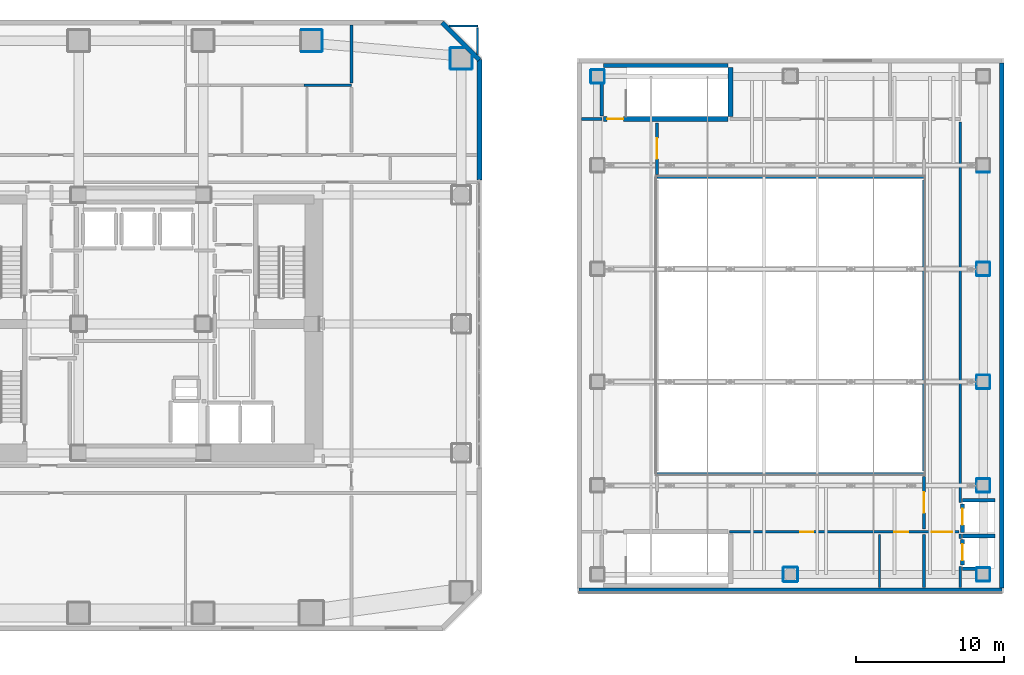
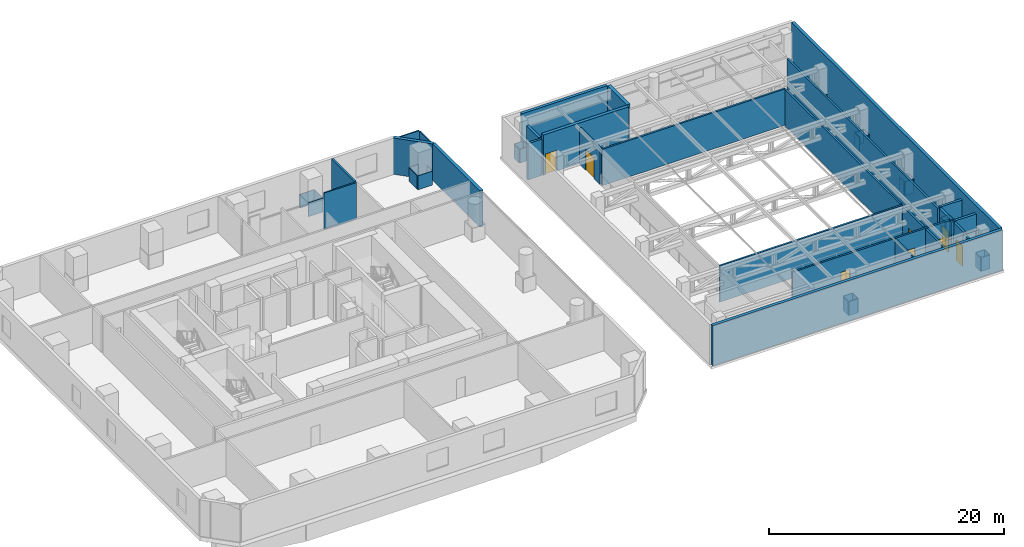
# One storey, part 22 of 25: 61 walls, 8 doors, 8 openings.
"""IFC4 building model written with IfcOpenShell, lengths in metres."""

from ifc_helpers import new_model, si_unit, direction, frame, frame_2d, origin, place, context, subcontext, project, spatial, rectangle, extrude, material, layer, layer_set, type_object, element, fill, save


model = new_model("IFC4")

# Units and contexts
model_context = context("Model", 3, precision=1e-05, world=origin(), true_north=direction((0.0, 1.0)))
body_context = subcontext(model_context, "Body", "Model", "MODEL_VIEW")
ifc_project = project(units=[si_unit("LENGTHUNIT", "METRE"), si_unit("AREAUNIT", "SQUARE_METRE"), si_unit("VOLUMEUNIT", "CUBIC_METRE"), si_unit("PLANEANGLEUNIT", "RADIAN"), si_unit("MASSUNIT", "GRAM", prefix="KILO")], contexts=[model_context])

# Site, building, storey
site_placement = place(None, origin())
site = spatial("IfcSite", under=ifc_project, at=site_placement, CompositionType="ELEMENT")
building_placement = place(site_placement, origin())
building = spatial("IfcBuilding", under=site, at=building_placement, Name="Solanera Arch Residences", CompositionType="ELEMENT")
storey_placement = place(building_placement, frame((0.0, 0.0, 17.800048828125)))
storey = spatial("IfcBuildingStorey", under=building, at=storey_placement, Name="L04", CompositionType="ELEMENT", Elevation=17.800048828125)

# Walls
ifc_material_1 = material(Name="Fire-Rated Gypsum Stud Partition", Category="gypsum")
ifc_layer_1 = layer(ifc_material_1, 0.06005859375)
ifc_layer_set_1 = layer_set([ifc_layer_1], Name="Fire-Rated Gypsum Stud Partition")
wall_type_1 = type_object("IfcWallType", Name="Column Acoustic Furring Wall 60", PredefinedType="PARTITIONING", material=ifc_layer_set_1)
for number, where, z_axis, x_axis, name in (
    (1, (35.800048828125, 49.068115234375, 0.0), (0.0, 0.0, 1.0), (1.0, 0.0, 0.0), "L04 Column Furring 14S"),
    (2, (35.800048828125, 50.531982421875, 0.0), (0.0, 0.0, 1.0), (1.0, 0.0, 0.0), "L04 Column Furring 14N"),
    (3, (37.23193359375, 49.10009765625, 0.0), (0.0, 0.0, 1.0), (0.0, 1.0, 0.0), "L04 Column Furring 14E"),
):
    element("IfcWall", number, at=place(storey_placement, frame(where, z_axis=z_axis, x_axis=x_axis)), inside=storey, type_object=wall_type_1, Name=name, PredefinedType="PARTITIONING", context=body_context, shape_type="SweptSolid", body=[
        extrude(rectangle(XDim=1.39990234375, YDim=0.06005859375, at=frame_2d((0.699951171875, 0.0))), origin(), (0.0, 0.0, 1.0), 1.449951171875),
    ])
wall_1_placement = place(storey_placement, frame((45.89990234375, 47.867919921875, 0.0), z_axis=(0.0, 0.0, 1.0), x_axis=(1.0, 0.0, 0.0)))
element("IfcWall", 4, at=wall_1_placement, inside=storey, type_object=wall_type_1, Name="L04 Column Furring 24S", PredefinedType="PARTITIONING", context=body_context, shape_type="SweptSolid", body=[
    extrude(rectangle(XDim=1.400146484375, YDim=0.06005859375, at=frame_2d((0.7001953125, 0.0))), origin(), (0.0, 0.0, 1.0), 1.449951171875),
])
wall_2_placement = place(storey_placement, frame((45.89990234375, 49.33203125, 0.0), z_axis=(0.0, 0.0, 1.0), x_axis=(1.0, 0.0, 0.0)))
element("IfcWall", 5, at=wall_2_placement, inside=storey, type_object=wall_type_1, Name="L04 Column Furring 24N", PredefinedType="PARTITIONING", context=body_context, shape_type="SweptSolid", body=[
    extrude(rectangle(XDim=0.861083984375, YDim=0.06005859375, at=frame_2d((0.4306640625, 0.0))), origin(), (0.0, 0.0, 1.0), 1.449951171875),
])
wall_3_placement = place(storey_placement, frame((45.867919921875, 47.89990234375, 0.0), z_axis=(0.0, 0.0, 1.0), x_axis=(0.0, 1.0, 0.0)))
element("IfcWall", 6, at=wall_3_placement, inside=storey, type_object=wall_type_1, Name="L04 Column Furring 24W", PredefinedType="PARTITIONING", context=body_context, shape_type="SweptSolid", body=[
    extrude(rectangle(XDim=1.400146484375, YDim=0.06005859375, at=frame_2d((0.7001953125, 0.0))), origin(), (0.0, 0.0, 1.0), 1.449951171875),
])
wall_4_placement = place(storey_placement, frame((47.33203125, 47.89990234375, 0.0), z_axis=(0.0, 0.0, 1.0), x_axis=(0.0, 1.0, 0.0)))
element("IfcWall", 7, at=wall_4_placement, inside=storey, type_object=wall_type_1, Name="L04 Column Furring 24E", PredefinedType="PARTITIONING", context=body_context, shape_type="SweptSolid", body=[
    extrude(rectangle(XDim=0.861083984375, YDim=0.06005859375, at=frame_2d((0.4306640625, 0.0))), origin(), (0.0, 0.0, 1.0), 1.449951171875),
])
for number, where, z_axis, x_axis, name in (
    (8, (55.375, 46.943115234375, 0.0), (0.0, 0.0, 1.0), (1.0, 0.0, 0.0), "L04 Column Furring 32S"),
    (9, (55.375, 47.85693359375, 0.0), (0.0, 0.0, 1.0), (1.0, 0.0, 0.0), "L04 Column Furring 32N"),
):
    element("IfcWall", number, at=place(storey_placement, frame(where, z_axis=z_axis, x_axis=x_axis)), inside=storey, type_object=wall_type_1, Name=name, PredefinedType="PARTITIONING", context=body_context, shape_type="SweptSolid", body=[
        extrude(rectangle(XDim=0.85009765625, YDim=0.06005859375, at=frame_2d((0.425048828125, 0.0))), origin(), (0.0, 0.0, 1.0), 1.449951171875),
    ])
for number, where, z_axis, x_axis, name in (
    (10, (55.343017578125, 46.97509765625, 0.0), (0.0, 0.0, 1.0), (0.0, 1.0, 0.0), "L04 Column Furring 32W"),
    (11, (56.257080078125, 46.97509765625, 0.0), (0.0, 0.0, 1.0), (0.0, 1.0, 0.0), "L04 Column Furring 32E"),
):
    element("IfcWall", number, at=place(storey_placement, frame(where, z_axis=z_axis, x_axis=x_axis)), inside=storey, type_object=wall_type_1, Name=name, PredefinedType="PARTITIONING", context=body_context, shape_type="SweptSolid", body=[
        extrude(rectangle(XDim=0.849853515625, YDim=0.06005859375, at=frame_2d((0.4248046875, 0.0))), origin(), (0.0, 0.0, 1.0), 1.449951171875),
    ])
for number, where, z_axis, x_axis, name in (
    (12, (81.375, 13.343017578125, 0.0), (0.0, 0.0, 1.0), (1.0, 0.0, 0.0), "L04 Column Furring 33S"),
    (13, (81.375, 14.257080078125, 0.0), (0.0, 0.0, 1.0), (1.0, 0.0, 0.0), "L04 Column Furring 33N"),
    (14, (81.343017578125, 13.375, 0.0), (0.0, 0.0, 1.0), (0.0, 1.0, 0.0), "L04 Column Furring 33W"),
    (15, (82.257080078125, 13.375, 0.0), (0.0, 0.0, 1.0), (0.0, 1.0, 0.0), "L04 Column Furring 33E"),
    (16, (81.375, 19.343017578125, 0.0), (0.0, 0.0, 1.0), (1.0, 0.0, 0.0), "L04 Column Furring 34S"),
    (17, (81.375, 20.257080078125, 0.0), (0.0, 0.0, 1.0), (1.0, 0.0, 0.0), "L04 Column Furring 34N"),
    (18, (81.343017578125, 19.375, 0.0), (0.0, 0.0, 1.0), (0.0, 1.0, 0.0), "L04 Column Furring 34W"),
    (19, (82.257080078125, 19.375, 0.0), (0.0, 0.0, 1.0), (0.0, 1.0, 0.0), "L04 Column Furring 34E"),
    (20, (81.375, 26.343017578125, 0.0), (0.0, 0.0, 1.0), (1.0, 0.0, 0.0), "L04 Column Furring 35S"),
    (21, (81.375, 27.257080078125, 0.0), (0.0, 0.0, 1.0), (1.0, 0.0, 0.0), "L04 Column Furring 35N"),
    (22, (81.343017578125, 26.375, 0.0), (0.0, 0.0, 1.0), (0.0, 1.0, 0.0), "L04 Column Furring 35W"),
    (23, (82.257080078125, 26.375, 0.0), (0.0, 0.0, 1.0), (0.0, 1.0, 0.0), "L04 Column Furring 35E"),
    (24, (81.375, 33.943115234375, 0.0), (0.0, 0.0, 1.0), (1.0, 0.0, 0.0), "L04 Column Furring 36S"),
    (25, (81.375, 34.85693359375, 0.0), (0.0, 0.0, 1.0), (1.0, 0.0, 0.0), "L04 Column Furring 36N"),
):
    element("IfcWall", number, at=place(storey_placement, frame(where, z_axis=z_axis, x_axis=x_axis)), inside=storey, type_object=wall_type_1, Name=name, PredefinedType="PARTITIONING", context=body_context, shape_type="SweptSolid", body=[
        extrude(rectangle(XDim=0.85009765625, YDim=0.06005859375, at=frame_2d((0.425048828125, 0.0))), origin(), (0.0, 0.0, 1.0), 1.449951171875),
    ])
for number, where, z_axis, x_axis, name in (
    (26, (81.343017578125, 33.97509765625, 0.0), (0.0, 0.0, 1.0), (0.0, 1.0, 0.0), "L04 Column Furring 36W"),
    (27, (82.257080078125, 33.97509765625, 0.0), (0.0, 0.0, 1.0), (0.0, 1.0, 0.0), "L04 Column Furring 36E"),
):
    element("IfcWall", number, at=place(storey_placement, frame(where, z_axis=z_axis, x_axis=x_axis)), inside=storey, type_object=wall_type_1, Name=name, PredefinedType="PARTITIONING", context=body_context, shape_type="SweptSolid", body=[
        extrude(rectangle(XDim=0.849853515625, YDim=0.06005859375, at=frame_2d((0.4248046875, 0.0))), origin(), (0.0, 0.0, 1.0), 1.449951171875),
    ])
wall_5_placement = place(storey_placement, frame((81.375, 40.943115234375, 0.0), z_axis=(0.0, 0.0, 1.0), x_axis=(1.0, 0.0, 0.0)))
element("IfcWall", 28, at=wall_5_placement, inside=storey, type_object=wall_type_1, Name="L04 Column Furring 37S", PredefinedType="PARTITIONING", context=body_context, shape_type="SweptSolid", body=[
    extrude(rectangle(XDim=0.85009765625, YDim=0.06005859375, at=frame_2d((0.425048828125, 0.0))), origin(), (0.0, 0.0, 1.0), 1.449951171875),
])
for number, where, z_axis, x_axis, name in (
    (29, (68.35009765625, 13.318115234375, 0.0), (0.0, 0.0, 1.0), (1.0, 0.0, 0.0), "L04 Column Furring 39S"),
    (30, (68.35009765625, 14.281982421875, 0.0), (0.0, 0.0, 1.0), (1.0, 0.0, 0.0), "L04 Column Furring 39N"),
    (31, (68.318115234375, 13.35009765625, 0.0), (0.0, 0.0, 1.0), (0.0, 1.0, 0.0), "L04 Column Furring 39W"),
    (32, (69.281982421875, 13.35009765625, 0.0), (0.0, 0.0, 1.0), (0.0, 1.0, 0.0), "L04 Column Furring 39E"),
):
    element("IfcWall", number, at=place(storey_placement, frame(where, z_axis=z_axis, x_axis=x_axis)), inside=storey, type_object=wall_type_1, Name=name, PredefinedType="PARTITIONING", context=body_context, shape_type="SweptSolid", body=[
        extrude(rectangle(XDim=0.89990234375, YDim=0.06005859375, at=frame_2d((0.449951171875, 0.0))), origin(), (0.0, 0.0, 1.0), 1.449951171875),
    ])
ifc_material_2 = material(Name="Concrete C40/50 (f'c = 45 MPa)", Category="concrete")
ifc_layer_2 = layer(ifc_material_2, 0.320068359375)
ifc_layer_set_2 = layer_set([ifc_layer_2], Name="Concrete C40/50 (f'c = 45 MPa)")
wall_type_2 = type_object("IfcWallType", Name="Core Shear Wall CW-320", PredefinedType="SHEAR", material=ifc_layer_set_2)
wall_6_placement = place(storey_placement, frame((64.760009765625, 44.679931640625, 0.0), z_axis=(0.0, 0.0, 1.0), x_axis=(0.0, 1.0, 0.0)))
element("IfcWall", 33, at=wall_6_placement, inside=storey, type_object=wall_type_2, Name="L04 Stair ST-H2 East Shear Wall", PredefinedType="SHEAR", context=body_context, shape_type="SweptSolid", body=[
    extrude(rectangle(XDim=3.320068359375, YDim=0.320068359375, at=frame_2d((1.66015625, 0.0))), origin(), (0.0, 0.0, 1.0), 4.199951171875),
])
wall_7_placement = place(storey_placement, frame((56.199951171875, 48.139892578125, 0.0), z_axis=(0.0, 0.0, 1.0), x_axis=(1.0, 0.0, 0.0)))
element("IfcWall", 34, at=wall_7_placement, inside=storey, type_object=wall_type_2, Name="L04 Stair ST-H2 North Shear Wall", PredefinedType="SHEAR", context=body_context, shape_type="SweptSolid", body=[
    extrude(rectangle(XDim=8.400146484375, YDim=0.280029296875, at=frame_2d((4.2001953125, 0.0))), origin(), (0.0, 0.0, 1.0), 4.199951171875),
])

# Wall, opening, door
wall_8_placement = place(storey_placement, frame((56.199951171875, 44.52001953125, 0.0), z_axis=(0.0, 0.0, 1.0), x_axis=(1.0, 0.0, 0.0)))
wall_8 = element("IfcWall", 35, at=wall_8_placement, inside=storey, type_object=wall_type_2, Name="L04 Stair ST-H2 South Shear Wall", PredefinedType="SHEAR", context=body_context, shape_type="SweptSolid", body=[
    extrude(rectangle(XDim=8.400146484375, YDim=0.320068359375, at=frame_2d((4.2001953125, 0.0))), origin(), (0.0, 0.0, 1.0), 4.199951171875),
])
opening_1_placement = place(wall_8_placement, frame((0.22998046875, 0.0, 0.0)))
opening_1 = element("IfcOpeningElement", 36, at=opening_1_placement, cuts=wall_8, Name="Opening DF-01", PredefinedType="OPENING", context=body_context, shape_type="SweptSolid", body=[
    extrude(rectangle(XDim=1.10009765625, YDim=2.14990234375, at=frame_2d((0.550048828125, 1.074951171875))), frame((0.0, 0.169921875, 0.0), z_axis=(0.0, -1.0, 0.0), x_axis=(1.0, 0.0, 0.0)), (0.0, 0.0, 1.0), 0.3401),
])
ifc_material_3 = material(Name="Fire-Rated Architectural Hardwood", Category="wood")
door_type_1 = type_object("IfcDoorType", Name="Stair Exit Fire Door DF-01", OperationType="NOTDEFINED", PredefinedType="DOOR", material=ifc_material_3)
door_1_placement = place(opening_1_placement, origin())
door_1 = element("IfcDoor", 37, at=door_1_placement, inside=storey, type_object=door_type_1, Name="DR-L04-STAIR-ST-H2", OperationType="SINGLE_SWING_RIGHT", OverallHeight=2.14990234375, OverallWidth=1.10009765625, PredefinedType="DOOR", context=body_context, shape_type="SweptSolid", body=[
    extrude(rectangle(XDim=1.10009765625, YDim=2.14990234375, at=frame_2d((0.550048828125, 1.074951171875))), frame((0.0, 0.02490234375, 0.0), z_axis=(0.0, -1.0, 0.0), x_axis=(1.0, 0.0, 0.0)), (0.0, 0.0, 1.0), 0.050048828125),
])
fill(opening_1, door_1)

# Wall, openings, doors
ifc_material_4 = material(Name="Autoclaved Aerated Concrete Blockwork", Category="masonry")
ifc_layer_3 = layer(ifc_material_4, 0.179931640625)
ifc_layer_set_3 = layer_set([ifc_layer_3], Name="Autoclaved Aerated Concrete Blockwork")
wall_type_3 = type_object("IfcWallType", Name="Corridor Fire Partition 180", PredefinedType="PARTITIONING", material=ifc_layer_set_3)
wall_9_placement = place(storey_placement, frame((64.699951171875, 16.679931640625, 0.0), z_axis=(0.0, 0.0, 1.0), x_axis=(1.0, 0.0, 0.0)))
wall_9 = element("IfcWall", 38, at=wall_9_placement, inside=storey, type_object=wall_type_3, Name="L04 Interior Partition H10 2", PredefinedType="PARTITIONING", context=body_context, shape_type="SweptSolid", body=[
    extrude(rectangle(XDim=15.48193359375, YDim=0.179931640625, at=frame_2d((7.740966796875, 0.0))), origin(), (0.0, 0.0, 1.0), 3.780029296875),
])
opening_2_placement = place(wall_9_placement, frame((13.625, 0.0, 0.0)))
opening_2 = element("IfcOpeningElement", 39, at=opening_2_placement, cuts=wall_9, Name="Opening DF-03", PredefinedType="OPENING", context=body_context, shape_type="SweptSolid", body=[
    extrude(rectangle(XDim=1.39990234375, YDim=2.14990234375, at=frame_2d((0.699951171875, 1.074951171875))), frame((0.0, 0.10009765625, 0.0), z_axis=(0.0, -1.0, 0.0), x_axis=(1.0, 0.0, 0.0)), (0.0, 0.0, 1.0), 0.1999),
])
opening_3_placement = place(wall_9_placement, frame((4.75, 0.0, 0.0)))
opening_3 = element("IfcOpeningElement", 40, at=opening_3_placement, cuts=wall_9, Name="Opening DI-02", PredefinedType="OPENING", context=body_context, shape_type="SweptSolid", body=[
    extrude(rectangle(XDim=0.89990234375, YDim=2.10009765625, at=frame_2d((0.449951171875, 1.050048828125))), frame((0.0, 0.10009765625, 0.0), z_axis=(0.0, -1.0, 0.0), x_axis=(1.0, 0.0, 0.0)), (0.0, 0.0, 1.0), 0.1999),
])
opening_4_placement = place(wall_9_placement, frame((11.10107421875, 0.0, 0.0)))
opening_4 = element("IfcOpeningElement", 41, at=opening_4_placement, cuts=wall_9, Name="Opening DI-04", PredefinedType="OPENING", context=body_context, shape_type="SweptSolid", body=[
    extrude(rectangle(XDim=0.949951171875, YDim=2.10009765625, at=frame_2d((0.47509765625, 1.050048828125))), frame((0.0, 0.10009765625, 0.0), z_axis=(0.0, -1.0, 0.0), x_axis=(1.0, 0.0, 0.0)), (0.0, 0.0, 1.0), 0.1999),
])
ifc_material_5 = material(Name="Fire-Rated Architectural Hardwood", Category="wood")
door_type_2 = type_object("IfcDoorType", Name="Accessible Restroom Door DI-04", OperationType="NOTDEFINED", PredefinedType="DOOR", material=ifc_material_5)
door_2_placement = place(opening_4_placement, origin())
door_2 = element("IfcDoor", 42, at=door_2_placement, inside=storey, type_object=door_type_2, Name="DR-L04-IN-036", OperationType="SINGLE_SWING_LEFT", OverallHeight=2.10009765625, OverallWidth=0.949951171875, PredefinedType="DOOR", context=body_context, shape_type="SweptSolid", body=[
    extrude(rectangle(XDim=0.949951171875, YDim=2.10009765625, at=frame_2d((0.47509765625, 1.050048828125))), frame((0.0, 0.02490234375, 0.0), z_axis=(0.0, -1.0, 0.0), x_axis=(1.0, 0.0, 0.0)), (0.0, 0.0, 1.0), 0.050048828125),
])
fill(opening_4, door_2)
ifc_material_6 = material(Name="Fire-Rated Architectural Hardwood", Category="wood")
door_type_3 = type_object("IfcDoorType", Name="Corridor Smoke Door DF-03", OperationType="NOTDEFINED", PredefinedType="DOOR", material=ifc_material_6)
door_3_placement = place(opening_2_placement, origin())
door_3 = element("IfcDoor", 43, at=door_3_placement, inside=storey, type_object=door_type_3, Name="DR-L04-IN-022", OperationType="SINGLE_SWING_LEFT", OverallHeight=2.14990234375, OverallWidth=1.39990234375, PredefinedType="DOOR", context=body_context, shape_type="SweptSolid", body=[
    extrude(rectangle(XDim=1.39990234375, YDim=2.14990234375, at=frame_2d((0.699951171875, 1.074951171875))), frame((0.0, 0.02490234375, 0.0), z_axis=(0.0, -1.0, 0.0), x_axis=(1.0, 0.0, 0.0)), (0.0, 0.0, 1.0), 0.050048828125),
])
fill(opening_2, door_3)
ifc_material_7 = material(Name="Fire-Rated Architectural Hardwood", Category="wood")
door_type_4 = type_object("IfcDoorType", Name="Suite Room Swing Door DI-02", OperationType="NOTDEFINED", PredefinedType="DOOR", material=ifc_material_7)
door_4_placement = place(opening_3_placement, origin())
door_4 = element("IfcDoor", 44, at=door_4_placement, inside=storey, type_object=door_type_4, Name="DR-L04-IN-035", OperationType="SINGLE_SWING_RIGHT", OverallHeight=2.10009765625, OverallWidth=0.89990234375, PredefinedType="DOOR", context=body_context, shape_type="SweptSolid", body=[
    extrude(rectangle(XDim=0.89990234375, YDim=2.10009765625, at=frame_2d((0.449951171875, 1.050048828125))), frame((0.0, 0.02490234375, 0.0), z_axis=(0.0, -1.0, 0.0), x_axis=(1.0, 0.0, 0.0)), (0.0, 0.0, 1.0), 0.050048828125),
])
fill(opening_3, door_4)

# Walls
for number, where, z_axis, x_axis, name in (
    (45, (59.800048828125, 20.60009765625, 0.0), (0.0, 0.0, 1.0), (1.0, 0.0, 0.0), "L04 Interior Partition H12"),
    (46, (59.800048828125, 40.60009765625, 0.0), (0.0, 0.0, 1.0), (1.0, 0.0, 0.0), "L04 Interior Partition H16"),
):
    element("IfcWall", number, at=place(storey_placement, frame(where, z_axis=z_axis, x_axis=x_axis)), inside=storey, type_object=wall_type_3, Name=name, PredefinedType="PARTITIONING", context=body_context, shape_type="SweptSolid", body=[
        extrude(rectangle(XDim=18.0, YDim=0.179931640625, at=frame_2d((9.0, 0.0))), origin(), (0.0, 0.0, 1.0), 3.780029296875),
    ])
wall_10_placement = place(storey_placement, frame((39.199951171875, 46.968017578125, 0.0), z_axis=(0.0, 0.0, 1.0), x_axis=(0.0, 1.0, 0.0)))
element("IfcWall", 47, at=wall_10_placement, inside=storey, type_object=wall_type_3, Name="L04 Interior Partition V14 2", PredefinedType="PARTITIONING", context=body_context, shape_type="SweptSolid", body=[
    extrude(rectangle(XDim=3.8798828125, YDim=0.179931640625, at=frame_2d((1.93994140625, 0.0))), origin(), (0.0, 0.0, 1.0), 3.780029296875),
])

# Wall, opening, door
wall_11_placement = place(storey_placement, frame((59.800048828125, 40.7880859375, 0.0), z_axis=(0.0, 0.0, 1.0), x_axis=(0.0, 1.0, 0.0)))
wall_11 = element("IfcWall", 48, at=wall_11_placement, inside=storey, type_object=wall_type_3, Name="L04 Interior Partition V17 3", PredefinedType="PARTITIONING", context=body_context, shape_type="SweptSolid", body=[
    extrude(rectangle(XDim=3.471923828125, YDim=0.179931640625, at=frame_2d((1.73583984375, 0.0))), origin(), (0.0, 0.0, 1.0), 3.780029296875),
])
opening_5_placement = place(wall_11_placement, frame((1.048095703125, 0.0, 0.0)))
opening_5 = element("IfcOpeningElement", 49, at=opening_5_placement, cuts=wall_11, Name="Opening DF-03", PredefinedType="OPENING", context=body_context, shape_type="SweptSolid", body=[
    extrude(rectangle(XDim=1.39990234375, YDim=2.14990234375, at=frame_2d((0.699951171875, 1.074951171875))), frame((0.0, 0.10009765625, 0.0), z_axis=(0.0, -1.0, 0.0), x_axis=(1.0, 0.0, 0.0)), (0.0, 0.0, 1.0), 0.1999),
])
door_5_placement = place(opening_5_placement, origin())
door_5 = element("IfcDoor", 50, at=door_5_placement, inside=storey, type_object=door_type_3, Name="DR-L04-IN-019", OperationType="SINGLE_SWING_RIGHT", OverallHeight=2.14990234375, OverallWidth=1.39990234375, PredefinedType="DOOR", context=body_context, shape_type="SweptSolid", body=[
    extrude(rectangle(XDim=1.39990234375, YDim=2.14990234375, at=frame_2d((0.699951171875, 1.074951171875))), frame((0.0, 0.02490234375, 0.0), z_axis=(0.0, -1.0, 0.0), x_axis=(1.0, 0.0, 0.0)), (0.0, 0.0, 1.0), 0.050048828125),
])
fill(opening_5, door_5)

# Wall
wall_12_placement = place(storey_placement, frame((77.800048828125, 12.912109375, 0.0), z_axis=(0.0, 0.0, 1.0), x_axis=(0.0, 1.0, 0.0)))
element("IfcWall", 51, at=wall_12_placement, inside=storey, type_object=wall_type_3, Name="L04 Interior Partition V18 1", PredefinedType="PARTITIONING", context=body_context, shape_type="SweptSolid", body=[
    extrude(rectangle(XDim=3.579833984375, YDim=0.179931640625, at=frame_2d((1.7900390625, 0.0))), origin(), (0.0, 0.0, 1.0), 3.780029296875),
])

# Wall, opening, door
wall_13_placement = place(storey_placement, frame((77.800048828125, 16.867919921875, 0.0), z_axis=(0.0, 0.0, 1.0), x_axis=(0.0, 1.0, 0.0)))
wall_13 = element("IfcWall", 52, at=wall_13_placement, inside=storey, type_object=wall_type_3, Name="L04 Interior Partition V18 2", PredefinedType="PARTITIONING", context=body_context, shape_type="SweptSolid", body=[
    extrude(rectangle(XDim=3.544189453125, YDim=0.179931640625, at=frame_2d((1.77197265625, 0.0))), origin(), (0.0, 0.0, 1.0), 3.780029296875),
])
opening_6_placement = place(wall_13_placement, frame((1.095947265625, 0.0, 0.0)))
opening_6 = element("IfcOpeningElement", 53, at=opening_6_placement, cuts=wall_13, Name="Opening DF-03", PredefinedType="OPENING", context=body_context, shape_type="SweptSolid", body=[
    extrude(rectangle(XDim=1.39990234375, YDim=2.14990234375, at=frame_2d((0.699951171875, 1.074951171875))), frame((0.0, 0.10009765625, 0.0), z_axis=(0.0, -1.0, 0.0), x_axis=(1.0, 0.0, 0.0)), (0.0, 0.0, 1.0), 0.1999),
])
door_6_placement = place(opening_6_placement, origin())
door_6 = element("IfcDoor", 54, at=door_6_placement, inside=storey, type_object=door_type_3, Name="DR-L04-IN-020", OperationType="SINGLE_SWING_LEFT", OverallHeight=2.14990234375, OverallWidth=1.39990234375, PredefinedType="DOOR", context=body_context, shape_type="SweptSolid", body=[
    extrude(rectangle(XDim=1.39990234375, YDim=2.14990234375, at=frame_2d((0.699951171875, 1.074951171875))), frame((0.0, 0.02490234375, 0.0), z_axis=(0.0, -1.0, 0.0), x_axis=(1.0, 0.0, 0.0)), (0.0, 0.0, 1.0), 0.050048828125),
])
fill(opening_6, door_6)

# Walls
wall_14_placement = place(storey_placement, frame((77.800048828125, 20.7880859375, 0.0), z_axis=(0.0, 0.0, 1.0), x_axis=(0.0, 1.0, 0.0)))
element("IfcWall", 55, at=wall_14_placement, inside=storey, type_object=wall_type_3, Name="L04 Interior Partition V18 3", PredefinedType="PARTITIONING", context=body_context, shape_type="SweptSolid", body=[
    extrude(rectangle(XDim=19.6240234375, YDim=0.179931640625, at=frame_2d((9.81201171875, 0.0))), origin(), (0.0, 0.0, 1.0), 3.780029296875),
])
wall_15_placement = place(storey_placement, frame((80.25, 12.912109375, 0.0), z_axis=(0.0, 0.0, 1.0), x_axis=(0.0, 1.0, 0.0)))
element("IfcWall", 56, at=wall_15_placement, inside=storey, type_object=wall_type_3, Name="L04 Interior Partition V19 1", PredefinedType="PARTITIONING", context=body_context, shape_type="SweptSolid", body=[
    extrude(rectangle(XDim=1.44287109375, YDim=0.179931640625, at=frame_2d((0.721435546875, 0.0))), origin(), (0.0, 0.0, 1.0), 3.780029296875),
])
wall_16_placement = place(storey_placement, frame((80.25, 16.2451171875, 0.0), z_axis=(0.0, 0.0, 1.0), x_axis=(0.0, 1.0, 0.0)))
element("IfcWall", 57, at=wall_16_placement, inside=storey, type_object=wall_type_3, Name="L04 Interior Partition V19 2", PredefinedType="PARTITIONING", context=body_context, shape_type="SweptSolid", body=[
    extrude(rectangle(XDim=0.27490234375, YDim=0.179931640625, at=frame_2d((0.137451171875, 0.0))), origin(), (0.0, 0.0, 1.0), 3.780029296875),
])
wall_17_placement = place(storey_placement, frame((80.25, 18.64501953125, 0.0), z_axis=(0.0, 0.0, 1.0), x_axis=(0.0, 1.0, 0.0)))
element("IfcWall", 58, at=wall_17_placement, inside=storey, type_object=wall_type_3, Name="L04 Interior Partition V19 3", PredefinedType="PARTITIONING", context=body_context, shape_type="SweptSolid", body=[
    extrude(rectangle(XDim=25.677001953125, YDim=0.179931640625, at=frame_2d((12.83837890625, 0.0))), origin(), (0.0, 0.0, 1.0), 3.780029296875),
])
ifc_material_8 = material(Name="Precast Concrete C35/45", Category="concrete")
ifc_layer_4 = layer(ifc_material_8, 0.300048828125)
ifc_layer_set_4 = layer_set([ifc_layer_4], Name="Precast Concrete C35/45")
wall_type_4 = type_object("IfcWallType", Name="Exterior Wall Precast Masonry-Frame 300", PredefinedType="STANDARD", material=ifc_layer_set_4)
wall_18_placement = place(storey_placement, frame((83.050048828125, 12.75, 0.0), z_axis=(0.0, 0.0, 1.0), x_axis=(-1.0, 0.0, 0.0)))
element("IfcWall", 59, at=wall_18_placement, inside=storey, type_object=wall_type_4, Name="L04 Sports Hall Exterior Precast Wall S", PredefinedType="STANDARD", context=body_context, shape_type="SweptSolid", body=[
    extrude(rectangle(XDim=28.5, YDim=0.300048828125, at=frame_2d((14.25, 0.0))), origin(), (0.0, 0.0, 1.0), 4.199951171875),
])
wall_19_placement = place(storey_placement, frame((83.050048828125, 48.300048828125, 0.0), z_axis=(0.0, 0.0, 1.0), x_axis=(0.0, -1.0, 0.0)))
element("IfcWall", 60, at=wall_19_placement, inside=storey, type_object=wall_type_4, Name="L04 Sports Hall Exterior Precast Wall E", PredefinedType="STANDARD", context=body_context, shape_type="SweptSolid", body=[
    extrude(rectangle(XDim=35.400146484375, YDim=0.300048828125, at=frame_2d((17.7001953125, 0.0))), origin(), (0.0, 0.0, 1.0), 4.199951171875),
])
ifc_material_9 = material(Name="Precast Concrete C35/45", Category="concrete")
ifc_layer_5 = layer(ifc_material_9, 0.320068359375)
ifc_layer_set_5 = layer_set([ifc_layer_5], Name="Precast Concrete C35/45")
wall_type_5 = type_object("IfcWallType", Name="Exterior Wall Precast Masonry-Frame 320", PredefinedType="STANDARD", material=ifc_layer_set_5)
wall_20_placement = place(storey_placement, frame((45.320068359375, 51.02001953125, 0.0), z_axis=(0.0, 0.0, 1.0), x_axis=(0.707106781187, -0.707106781187, 0.0)))
element("IfcWall", 61, at=wall_20_placement, inside=storey, type_object=wall_type_5, Name="L04 Podium Precast Masonry-Frame Wall 4", PredefinedType="STANDARD", context=body_context, shape_type="SweptSolid", body=[
    extrude(rectangle(XDim=3.53564453125, YDim=0.320068359375, at=frame_2d((1.767822265625, 0.0))), origin(), (0.0, 0.0, 1.0), 3.780029296875),
])
wall_21_placement = place(storey_placement, frame((47.820068359375, 48.52001953125, 0.0), z_axis=(0.0, 0.0, 1.0), x_axis=(0.0, -1.0, 0.0)))
element("IfcWall", 62, at=wall_21_placement, inside=storey, type_object=wall_type_5, Name="L04 Podium East Pier 1", PredefinedType="STANDARD", context=body_context, shape_type="SweptSolid", body=[
    extrude(rectangle(XDim=8.1201171875, YDim=0.320068359375, at=frame_2d((4.06005859375, 0.0))), origin(), (0.0, 0.0, 1.0), 3.780029296875),
])
ifc_material_10 = material(Name="Autoclaved Aerated Concrete Blockwork", Category="masonry")
ifc_layer_6 = layer(ifc_material_10, 0.199951171875)
ifc_layer_set_6 = layer_set([ifc_layer_6], Name="Autoclaved Aerated Concrete Blockwork")
wall_type_6 = type_object("IfcWallType", Name="Party Wall Acoustic 200", PredefinedType="PARTITIONING", material=ifc_layer_set_6)
wall_22_placement = place(storey_placement, frame((54.7119140625, 44.52001953125, 0.0), z_axis=(0.0, 0.0, 1.0), x_axis=(1.0, 0.0, 0.0)))
element("IfcWall", 63, at=wall_22_placement, inside=storey, type_object=wall_type_6, Name="L04 Interior Partition H7 1", PredefinedType="PARTITIONING", context=body_context, shape_type="SweptSolid", body=[
    extrude(rectangle(XDim=1.378173828125, YDim=0.199951171875, at=frame_2d((0.68896484375, 0.0))), origin(), (0.0, 0.0, 1.0), 3.780029296875),
])
ifc_material_11 = material(Name="Autoclaved Aerated Concrete Blockwork", Category="masonry")
ifc_layer_7 = layer(ifc_material_11, 0.239990234375)
ifc_layer_set_7 = layer_set([ifc_layer_7], Name="Autoclaved Aerated Concrete Blockwork")
wall_type_7 = type_object("IfcWallType", Name="Shaft Wall Fire-Rated 240", PredefinedType="PARTITIONING", material=ifc_layer_set_7)
wall_23_placement = place(storey_placement, frame((56.080078125, 44.72998046875, 0.0), z_axis=(0.0, 0.0, 1.0), x_axis=(0.0, 1.0, 0.0)))
element("IfcWall", 64, at=wall_23_placement, inside=storey, type_object=wall_type_7, Name="L04 Stair ST-H2 West Wall", PredefinedType="PARTITIONING", context=body_context, shape_type="SweptSolid", body=[
    extrude(rectangle(XDim=2.113037109375, YDim=0.239990234375, at=frame_2d((1.056640625, 0.0))), origin(), (0.0, 0.0, 1.0), 3.780029296875),
])
wall_24_placement = place(storey_placement, frame((80.39990234375, 14.199951171875, 0.0), z_axis=(0.0, 0.0, 1.0), x_axis=(1.0, 0.0, 0.0)))
element("IfcWall", 65, at=wall_24_placement, inside=storey, type_object=wall_type_7, Name="L04 Lift PL-SH1 Hoistway Wall S", PredefinedType="PARTITIONING", context=body_context, shape_type="SweptSolid", body=[
    extrude(rectangle(XDim=0.843017578125, YDim=0.239990234375, at=frame_2d((0.42138671875, 0.0))), origin(), (0.0, 0.0, 1.0), 3.780029296875),
])
wall_25_placement = place(storey_placement, frame((80.39990234375, 16.39990234375, 0.0), z_axis=(0.0, 0.0, 1.0), x_axis=(1.0, 0.0, 0.0)))
element("IfcWall", 66, at=wall_25_placement, inside=storey, type_object=wall_type_7, Name="L04 Lift PL-SH1 Hoistway Wall N", PredefinedType="PARTITIONING", context=body_context, shape_type="SweptSolid", body=[
    extrude(rectangle(XDim=2.2001953125, YDim=0.239990234375, at=frame_2d((1.10009765625, 0.0))), origin(), (0.0, 0.0, 1.0), 3.780029296875),
])

# Wall, opening, door
wall_26_placement = place(storey_placement, frame((80.39990234375, 14.447998046875, 0.0), z_axis=(0.0, 0.0, 1.0), x_axis=(0.0, 1.0, 0.0)))
wall_26 = element("IfcWall", 67, at=wall_26_placement, inside=storey, type_object=wall_type_7, Name="L04 Lift PL-SH1 Hoistway Wall W", PredefinedType="PARTITIONING", context=body_context, shape_type="SweptSolid", body=[
    extrude(rectangle(XDim=1.7041015625, YDim=0.239990234375, at=frame_2d((0.85205078125, 0.0))), origin(), (0.0, 0.0, 1.0), 3.780029296875),
])
opening_7_placement = place(wall_26_placement, frame((0.302001953125, 0.0, 0.0)))
opening_7 = element("IfcOpeningElement", 68, at=opening_7_placement, cuts=wall_26, Name="Opening LD-01", PredefinedType="OPENING", context=body_context, shape_type="SweptSolid", body=[
    extrude(rectangle(XDim=1.10009765625, YDim=2.14990234375, at=frame_2d((0.550048828125, 1.074951171875))), frame((0.0, 0.1298828125, 0.0), z_axis=(0.0, -1.0, 0.0), x_axis=(1.0, 0.0, 0.0)), (0.0, 0.0, 1.0), 0.26),
])
ifc_material_12 = material(Name="Anodised Aluminium Alloy 6063-T6", Category="aluminium")
door_type_5 = type_object("IfcDoorType", Name="Lift Landing Sliding Door LD-01", OperationType="NOTDEFINED", PredefinedType="DOOR", material=ifc_material_12)
door_7_placement = place(opening_7_placement, origin())
door_7 = element("IfcDoor", 69, at=door_7_placement, inside=storey, type_object=door_type_5, Name="DR-L04-LIFT-PL-SH1", OperationType="SLIDING_TO_LEFT", OverallHeight=2.14990234375, OverallWidth=1.10009765625, PredefinedType="DOOR", context=body_context, shape_type="SweptSolid", body=[
    extrude(rectangle(XDim=1.10009765625, YDim=2.14990234375, at=frame_2d((0.550048828125, 1.074951171875))), frame((0.0, 0.02490234375, 0.0), z_axis=(0.0, -1.0, 0.0), x_axis=(1.0, 0.0, 0.0)), (0.0, 0.0, 1.0), 0.050048828125),
])
fill(opening_7, door_7)

# Wall
wall_27_placement = place(storey_placement, frame((80.39990234375, 18.800048828125, 0.0), z_axis=(0.0, 0.0, 1.0), x_axis=(1.0, 0.0, 0.0)))
element("IfcWall", 70, at=wall_27_placement, inside=storey, type_object=wall_type_7, Name="L04 Lift PL-SH2 Hoistway Wall N", PredefinedType="PARTITIONING", context=body_context, shape_type="SweptSolid", body=[
    extrude(rectangle(XDim=2.2001953125, YDim=0.239990234375, at=frame_2d((1.10009765625, 0.0))), origin(), (0.0, 0.0, 1.0), 3.780029296875),
])

# Wall, opening, door
wall_28_placement = place(storey_placement, frame((80.39990234375, 16.64794921875, 0.0), z_axis=(0.0, 0.0, 1.0), x_axis=(0.0, 1.0, 0.0)))
wall_28 = element("IfcWall", 71, at=wall_28_placement, inside=storey, type_object=wall_type_7, Name="L04 Lift PL-SH2 Hoistway Wall W", PredefinedType="PARTITIONING", context=body_context, shape_type="SweptSolid", body=[
    extrude(rectangle(XDim=1.904052734375, YDim=0.239990234375, at=frame_2d((0.9521484375, 0.0))), origin(), (0.0, 0.0, 1.0), 3.780029296875),
])
opening_8_placement = place(wall_28_placement, frame((0.501953125, 0.0, 0.0)))
opening_8 = element("IfcOpeningElement", 72, at=opening_8_placement, cuts=wall_28, Name="Opening LD-01", PredefinedType="OPENING", context=body_context, shape_type="SweptSolid", body=[
    extrude(rectangle(XDim=1.10009765625, YDim=2.14990234375, at=frame_2d((0.550048828125, 1.074951171875))), frame((0.0, 0.1298828125, 0.0), z_axis=(0.0, -1.0, 0.0), x_axis=(1.0, 0.0, 0.0)), (0.0, 0.0, 1.0), 0.26),
])
door_8_placement = place(opening_8_placement, origin())
door_8 = element("IfcDoor", 73, at=door_8_placement, inside=storey, type_object=door_type_5, Name="DR-L04-LIFT-PL-SH2", OperationType="SLIDING_TO_RIGHT", OverallHeight=2.14990234375, OverallWidth=1.10009765625, PredefinedType="DOOR", context=body_context, shape_type="SweptSolid", body=[
    extrude(rectangle(XDim=1.10009765625, YDim=2.14990234375, at=frame_2d((0.550048828125, 1.074951171875))), frame((0.0, 0.02490234375, 0.0), z_axis=(0.0, -1.0, 0.0), x_axis=(1.0, 0.0, 0.0)), (0.0, 0.0, 1.0), 0.050048828125),
])
fill(opening_8, door_8)

# Walls
ifc_material_13 = material(Name="Fire-Rated Gypsum Stud Partition", Category="gypsum")
ifc_layer_8 = layer(ifc_material_13, 0.1201171875)
ifc_layer_set_8 = layer_set([ifc_layer_8], Name="Fire-Rated Gypsum Stud Partition")
wall_type_8 = type_object("IfcWallType", Name="Unit Drywall Partition 120", PredefinedType="PARTITIONING", material=ifc_layer_set_8)
wall_29_placement = place(storey_placement, frame((45.782958984375, 50.800048828125, 0.0), z_axis=(0.0, 0.0, 1.0), x_axis=(1.0, 0.0, 0.0)))
element("IfcWall", 74, at=wall_29_placement, inside=storey, type_object=wall_type_8, Name="L04 Interior Partition H23", PredefinedType="PARTITIONING", context=body_context, shape_type="SweptSolid", body=[
    extrude(rectangle(XDim=1.9169921875, YDim=0.1201171875, at=frame_2d((0.95849609375, 0.0))), origin(), (0.0, 0.0, 1.0), 3.780029296875),
])
wall_30_placement = place(storey_placement, frame((47.699951171875, 48.883056640625, 0.0), z_axis=(0.0, 0.0, 1.0), x_axis=(0.0, 1.0, 0.0)))
element("IfcWall", 75, at=wall_30_placement, inside=storey, type_object=wall_type_8, Name="L04 Interior Partition V27", PredefinedType="PARTITIONING", context=body_context, shape_type="SweptSolid", body=[
    extrude(rectangle(XDim=1.7890625, YDim=0.1201171875, at=frame_2d((0.89453125, 0.0))), origin(), (0.0, 0.0, 1.0), 3.780029296875),
])
ifc_material_14 = material(Name="Autoclaved Aerated Concrete Blockwork", Category="masonry")
ifc_layer_9 = layer(ifc_material_14, 0.139892578125)
ifc_layer_set_9 = layer_set([ifc_layer_9], Name="Autoclaved Aerated Concrete Blockwork")
wall_type_9 = type_object("IfcWallType", Name="Wet-Room Partition 140", PredefinedType="PARTITIONING", material=ifc_layer_set_9)
wall_31_placement = place(storey_placement, frame((36.0, 46.800048828125, 0.0), z_axis=(0.0, 0.0, 1.0), x_axis=(1.0, 0.0, 0.0)))
element("IfcWall", 76, at=wall_31_placement, inside=storey, type_object=wall_type_9, Name="L04 Interior Partition H20 4", PredefinedType="PARTITIONING", context=body_context, shape_type="SweptSolid", body=[
    extrude(rectangle(XDim=3.199951171875, YDim=0.139892578125, at=frame_2d((1.60009765625, 0.0))), origin(), (0.0, 0.0, 1.0), 3.780029296875),
])
wall_32_placement = place(storey_placement, frame((74.800048828125, 12.912109375, 0.0), z_axis=(0.0, 0.0, 1.0), x_axis=(0.0, 1.0, 0.0)))
element("IfcWall", 77, at=wall_32_placement, inside=storey, type_object=wall_type_9, Name="L04 Interior Partition V24", PredefinedType="PARTITIONING", context=body_context, shape_type="SweptSolid", body=[
    extrude(rectangle(XDim=3.599853515625, YDim=0.139892578125, at=frame_2d((1.7998046875, 0.0))), origin(), (0.0, 0.0, 1.0), 3.780029296875),
])

save(model, "model.ifc")
